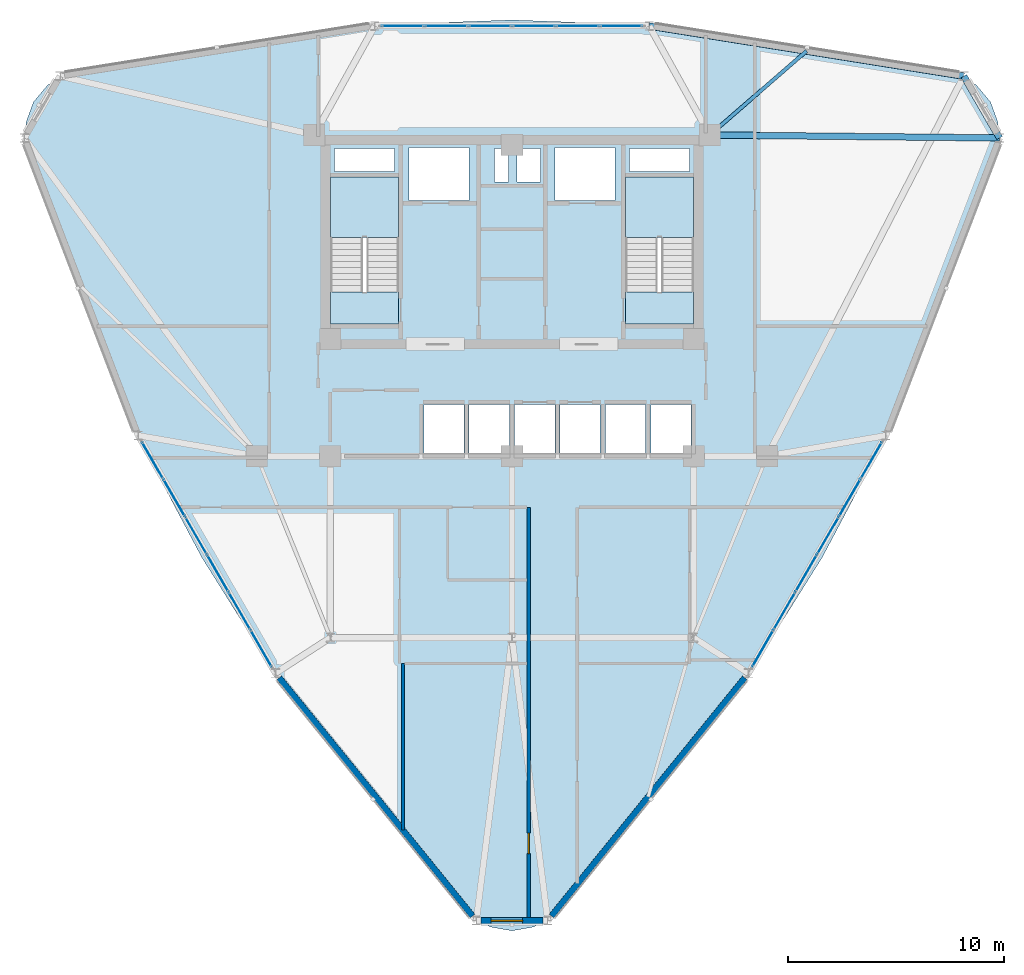
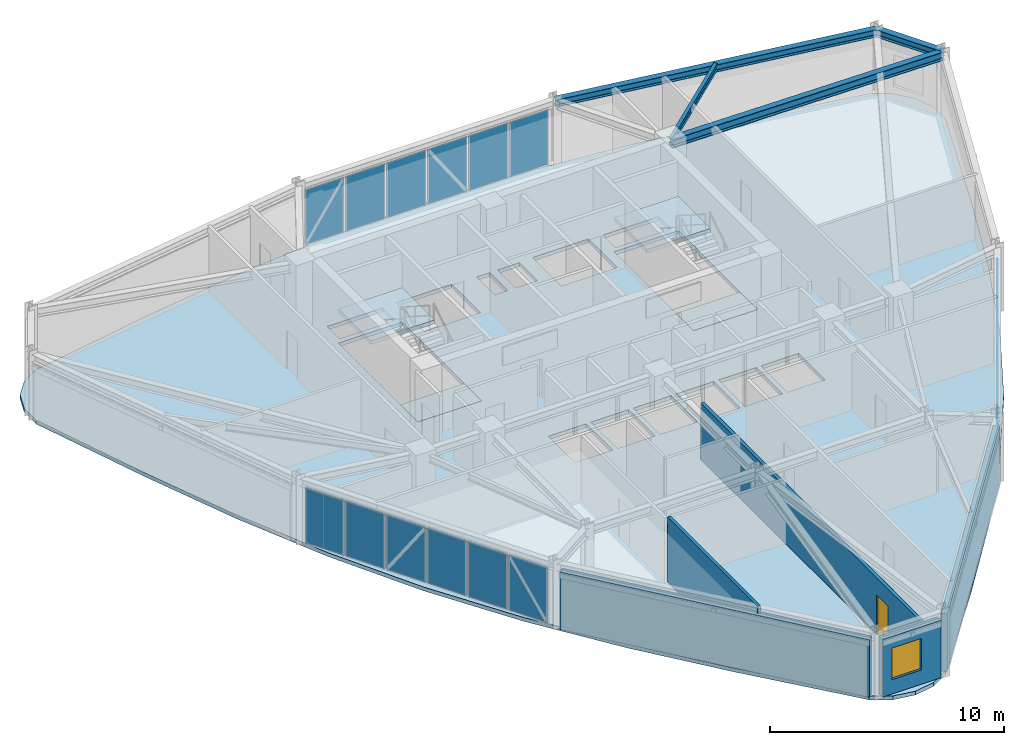
# One storey, part 9 of 14: 18 plates, 5 slabs, 5 walls, 4 beams, 1 door, 1 window, 2 openings, 5 elements without a shape of their own.
"""IFC4 building model written with IfcOpenShell, lengths in metres."""

from ifc_helpers import new_model, si_unit, derived_unit, direction, frame, frame_2d, origin, origin_2d, place, context, subcontext, project, spatial, polyline, rectangle, i_section, outline, extrude, source, transform, mapped, material, layer, layer_set, material_profile, profile_set, type_object, element, fill, aggregate, save


model = new_model("IFC4")

# Units and contexts
model_context = context("Model", 3, precision=1e-05, world=origin(), true_north=direction((0.0, 1.0)))
body_context = subcontext(model_context, "Body", "Model", "MODEL_VIEW")
ifc_project = project(units=[si_unit("LENGTHUNIT", "METRE"), si_unit("AREAUNIT", "SQUARE_METRE"), si_unit("VOLUMEUNIT", "CUBIC_METRE"), si_unit("PLANEANGLEUNIT", "RADIAN"), si_unit("MASSUNIT", "GRAM", prefix="KILO"), derived_unit("THERMALTRANSMITTANCEUNIT", [(si_unit("POWERUNIT", "WATT"), 1), (si_unit("LENGTHUNIT", "METRE"), -2), (si_unit("THERMODYNAMICTEMPERATUREUNIT", "KELVIN"), -1)])], contexts=[model_context])

# Site, building, storey
site_placement = place(None, origin())
site = spatial("IfcSite", under=ifc_project, at=site_placement, CompositionType="ELEMENT")
building_placement = place(site_placement, origin())
building = spatial("IfcBuilding", under=site, at=building_placement, Name="Korsvarv Bourse and Concert Hall", CompositionType="ELEMENT")
storey_placement = place(building_placement, frame((0.0, 0.0, 172.199951171875)))
storey = spatial("IfcBuildingStorey", under=building, at=storey_placement, Name="L44", CompositionType="ELEMENT", Elevation=172.199951171875)

# Beams
ifc_material_1 = material(Name="Steel S355", Category="steel")
ifc_material_profile_1 = material_profile(ifc_material_1, i_section(OverallWidth=0.300048828125, OverallDepth=0.449951171875, WebThickness=0.013916015625, FlangeThickness=0.02587890625, FilletRadius=0.02099609375, at=origin_2d()), Name="HEB 450")
ifc_profile_set_1 = profile_set([ifc_material_profile_1], Name="Steel S355")
beam_type_1 = type_object("IfcBeamType", Name="BM-HEB450", PredefinedType="SPANDREL", material=ifc_profile_set_1)
shared_shape_1 = source(origin(), body_context, "Body", "SweptSolid", [
    extrude(i_section(OverallWidth=0.300048828125, OverallDepth=0.449951171875, WebThickness=0.013916015625, FlangeThickness=0.02587890625, FilletRadius=0.02099609375, at=origin_2d()), origin(), (0.0, 0.0, 1.0), 13.40478515625),
])
beam_1_placement = place(storey_placement, frame((58.553955078125, 47.114501953125, 3.175048828125), z_axis=(-0.999948910631, 0.010108220778, 0.0), x_axis=(-0.010108220778, -0.999948910631, 0.0)))
element("IfcBeam", 1, at=beam_1_placement, inside=storey, type_object=beam_type_1, Name="L44 beam B-08", PredefinedType="SPANDREL", context=body_context, shape_type="MappedRepresentation", body=[
    mapped(shared_shape_1, transform((0.0, 0.0, 0.0), scale=1.0)),
])
ifc_material_profile_2 = material_profile(ifc_material_1, i_section(OverallWidth=0.300048828125, OverallDepth=0.389892578125, WebThickness=0.010986328125, FlangeThickness=0.01904296875, FilletRadius=0.02099609375, at=origin_2d()), Name="HEA 400")
ifc_profile_set_2 = profile_set([ifc_material_profile_2], Name="Steel S355")
beam_type_2 = type_object("IfcBeamType", Name="BM-HEA400", PredefinedType="BEAM", material=ifc_profile_set_2)
shared_shape_2 = source(origin(), body_context, "Body", "SweptSolid", [
    extrude(i_section(OverallWidth=0.300048828125, OverallDepth=0.389892578125, WebThickness=0.010986328125, FlangeThickness=0.01904296875, FilletRadius=0.02099609375, at=origin_2d()), origin(), (0.0, 0.0, 1.0), 3.30322265625),
])
beam_2_placement = place(storey_placement, frame((58.553955078125, 47.114501953125, 3.205078125), z_axis=(-0.500010360262, 0.866019422202, 0.0), x_axis=(-0.866019422202, -0.500010360262, 0.0)))
element("IfcBeam", 2, at=beam_2_placement, inside=storey, type_object=beam_type_2, Name="L44 beam B-11", PredefinedType="BEAM", context=body_context, shape_type="MappedRepresentation", body=[
    mapped(shared_shape_2, transform((0.0, 0.0, 0.0), scale=1.0)),
])
shared_shape_3 = source(origin(), body_context, "Body", "SweptSolid", [
    extrude(i_section(OverallWidth=0.300048828125, OverallDepth=0.389892578125, WebThickness=0.010986328125, FlangeThickness=0.01904296875, FilletRadius=0.02099609375, at=origin_2d()), origin(), (0.0, 0.0, 1.0), 14.740234375),
])
beam_3_placement = place(storey_placement, frame((56.90234375, 49.97509765625, 3.205078125), z_axis=(-0.987527508196, 0.157446564127, 0.0), x_axis=(-0.157446564127, -0.987527508196, 0.0)))
element("IfcBeam", 3, at=beam_3_placement, inside=storey, type_object=beam_type_2, Name="L44 beam B-11", PredefinedType="BEAM", context=body_context, shape_type="MappedRepresentation", body=[
    mapped(shared_shape_3, transform((0.0, 0.0, 0.0), scale=1.0)),
])
ifc_material_profile_3 = material_profile(ifc_material_1, i_section(OverallWidth=0.169921875, OverallDepth=0.360107421875, WebThickness=0.008056640625, FlangeThickness=0.0126953125, FilletRadius=0.01806640625, at=origin_2d()), Name="IPE 360")
ifc_profile_set_3 = profile_set([ifc_material_profile_3], Name="Steel S355")
beam_type_3 = type_object("IfcBeamType", Name="BM-IPE360", PredefinedType="JOIST", material=ifc_profile_set_3)
shared_shape_4 = source(origin(), body_context, "Body", "SweptSolid", [
    extrude(i_section(OverallWidth=0.169921875, OverallDepth=0.360107421875, WebThickness=0.008056640625, FlangeThickness=0.0126953125, FilletRadius=0.01806640625, at=origin_2d()), origin(), (0.0, 0.0, 1.0), 5.926025390625),
])
beam_4_placement = place(storey_placement, frame((49.624267578125, 51.135498046875, 3.219970703125), z_axis=(-0.755044389715, -0.655673676123, 0.0), x_axis=(0.655673676123, -0.755044389715, 0.0)))
element("IfcBeam", 4, at=beam_4_placement, inside=storey, type_object=beam_type_3, Name="L44 beam J-06", PredefinedType="JOIST", context=body_context, shape_type="MappedRepresentation", body=[
    mapped(shared_shape_4, transform((0.0, 0.0, 0.0), scale=1.0)),
])

# Slabs
ifc_material_2 = material(Name="Precast concrete C45/55", Category="concrete")
ifc_layer_1 = layer(ifc_material_2, 0.199951171875)
ifc_layer_set_1 = layer_set([ifc_layer_1], Name="Precast concrete C45/55")
slab_type_1 = type_object("IfcSlabType", Name="SLB-FLND-T", PredefinedType="LANDING", material=ifc_layer_set_1)
slab_1_placement = place(storey_placement, frame((0.0, 0.0, -0.199951171875)))
element("IfcSlab", 5, at=slab_1_placement, inside=storey, type_object=slab_type_1, Name="L44 Stair ST-T1 Floor Landing Slab", PredefinedType="LANDING", context=body_context, shape_type="SweptSolid", body=[
    extrude(outline(polyline([(30.760009765625, 38.5), (30.760009765625, 40.0), (27.60009765625, 40.0), (27.60009765625, 38.5), (30.760009765625, 38.5)])), origin(), (0.0, 0.0, 1.0), 0.199951171875),
])
slab_2_placement = place(storey_placement, frame((0.0, 0.0, -0.199951171875)))
element("IfcSlab", 6, at=slab_2_placement, inside=storey, type_object=slab_type_1, Name="L44 Stair ST-T2 Floor Landing Slab", PredefinedType="LANDING", context=body_context, shape_type="SweptSolid", body=[
    extrude(outline(polyline([(44.39990234375, 38.5), (44.39990234375, 40.0), (41.239990234375, 40.0), (41.239990234375, 38.5), (44.39990234375, 38.5)])), origin(), (0.0, 0.0, 1.0), 0.199951171875),
])

# Stair, slab
stair_type = type_object("IfcStairType", Name="STR-TYPE-04", PredefinedType="HALF_TURN_STAIR", material=ifc_material_2)
stair_1_placement = place(storey_placement, origin())
stair_1 = element("IfcStair", 7, at=stair_1_placement, inside=storey, type_object=stair_type, Name="L44 Tower West Exit Stair ST-T1", PredefinedType="HALF_TURN_STAIR")
ifc_layer_2 = layer(ifc_material_2, 0.199951171875)
ifc_layer_set_2 = layer_set([ifc_layer_2], Name="Precast concrete C45/55")
slab_type_2 = type_object("IfcSlabType", Name="SLB-ST-LND", PredefinedType="LANDING", material=ifc_layer_set_2)
slab_3_placement = place(storey_placement, frame((0.0, 0.0, 1.60009765625)))
slab_3 = element("IfcSlab", 8, at=slab_3_placement, type_object=slab_type_2, Name="ST-T1 landing 1", PredefinedType="LANDING", context=body_context, shape_type="SweptSolid", body=[
    extrude(outline(polyline([(30.760009765625, 42.52001953125), (30.760009765625, 45.300048828125), (27.60009765625, 45.300048828125), (27.60009765625, 42.52001953125), (30.760009765625, 42.52001953125)])), origin(), (0.0, 0.0, 1.0), 0.199951171875),
])
aggregate(stair_1, [slab_3])

stair_2_placement = place(storey_placement, origin())
stair_2 = element("IfcStair", 9, at=stair_2_placement, inside=storey, type_object=stair_type, Name="L44 Tower East Exit Stair ST-T2", PredefinedType="HALF_TURN_STAIR")
slab_4_placement = place(storey_placement, frame((0.0, 0.0, 1.60009765625)))
slab_4 = element("IfcSlab", 10, at=slab_4_placement, type_object=slab_type_2, Name="ST-T2 landing 1", PredefinedType="LANDING", context=body_context, shape_type="SweptSolid", body=[
    extrude(outline(polyline([(44.39990234375, 42.52001953125), (44.39990234375, 45.300048828125), (41.239990234375, 45.300048828125), (41.239990234375, 42.52001953125), (44.39990234375, 42.52001953125)])), origin(), (0.0, 0.0, 1.0), 0.199951171875),
])
aggregate(stair_2, [slab_4])

# Slab
ifc_material_3 = material(Name="Concrete C45/55", Category="concrete")
ifc_layer_3 = layer(ifc_material_3, 0.199951171875)
ifc_layer_set_3 = layer_set([ifc_layer_3], Name="Concrete C45/55")
slab_type_3 = type_object("IfcSlabType", Name="SLB-TW2", PredefinedType="FLOOR", material=ifc_layer_set_3)
slab_5_placement = place(storey_placement, frame((0.0, 0.0, -0.199951171875)))
element("IfcSlab", 11, at=slab_5_placement, inside=storey, type_object=slab_type_3, Name="L44 tower structural floor slab", PredefinedType="FLOOR", context=body_context, shape_type="SweptSolid", body=[
    extrude(outline(polyline([(58.079345703125, 45.67333984375), (56.399169921875, 41.006591796875), (54.61083984375, 36.42724609375), (52.616943359375, 31.986572265625), (50.350341796875, 27.71484375), (47.7841796875, 23.615966796875), (44.935546875, 19.6689453125), (41.86376953125, 15.83056640625), (38.662353515625, 12.0419921875), (38.660400390625, 12.03955078125), (37.900634765625, 11.134033203125), (37.01123046875, 10.62060546875), (36.0, 10.4423828125), (34.98876953125, 10.62060546875), (34.099365234375, 11.134033203125), (33.339599609375, 12.03955078125), (33.337646484375, 12.0419921875), (30.13623046875, 15.83056640625), (27.064453125, 19.6689453125), (24.2158203125, 23.615966796875), (21.649658203125, 27.71484375), (19.383056640625, 31.986572265625), (17.38916015625, 36.42724609375), (15.600830078125, 41.006591796875), (13.920654296875, 45.67333984375), (13.91943359375, 45.67626953125), (13.51513671875, 46.787109375), (13.51513671875, 47.813720703125), (13.866455078125, 48.77880859375), (14.526611328125, 49.5654296875), (15.415771484375, 50.078857421875), (16.579833984375, 50.2841796875), (16.5830078125, 50.28466796875), (21.464599609375, 51.162841796875), (26.32470703125, 51.904052734375), (31.167236328125, 52.3974609375), (36.0, 52.5703125), (40.832763671875, 52.3974609375), (45.67529296875, 51.904052734375), (50.535400390625, 51.162841796875), (55.4169921875, 50.28466796875), (55.420166015625, 50.2841796875), (56.584228515625, 50.078857421875), (57.473388671875, 49.5654296875), (58.133544921875, 48.77880859375), (58.48486328125, 47.813720703125), (58.48486328125, 46.787109375), (58.08056640625, 45.67626953125), (58.079345703125, 45.67333984375)]), holes=[polyline([(30.760009765625, 38.5), (30.760009765625, 45.300048828125), (27.60009765625, 45.300048828125), (27.60009765625, 38.5), (30.760009765625, 38.5)]), polyline([(44.39990234375, 38.5), (44.39990234375, 45.300048828125), (41.239990234375, 45.300048828125), (41.239990234375, 38.5), (44.39990234375, 38.5)]), polyline([(31.239990234375, 44.219970703125), (34.0, 44.219970703125), (34.0, 46.679931640625), (31.239990234375, 46.679931640625), (31.239990234375, 44.219970703125)]), polyline([(38.0, 44.219970703125), (40.760009765625, 44.219970703125), (40.760009765625, 46.679931640625), (38.0, 46.679931640625), (38.0, 44.219970703125)]), polyline([(31.919921875, 32.52001953125), (33.780029296875, 32.52001953125), (33.780029296875, 34.780029296875), (31.919921875, 34.780029296875), (31.919921875, 32.52001953125)]), polyline([(34.02001953125, 32.52001953125), (35.8798828125, 32.52001953125), (35.8798828125, 34.780029296875), (34.02001953125, 34.780029296875), (34.02001953125, 32.52001953125)]), polyline([(36.1201171875, 32.52001953125), (37.97998046875, 32.52001953125), (37.97998046875, 34.780029296875), (36.1201171875, 34.780029296875), (36.1201171875, 32.52001953125)]), polyline([(38.219970703125, 32.52001953125), (40.080078125, 32.52001953125), (40.080078125, 34.780029296875), (38.219970703125, 34.780029296875), (38.219970703125, 32.52001953125)]), polyline([(40.320068359375, 32.52001953125), (42.179931640625, 32.52001953125), (42.179931640625, 34.780029296875), (40.320068359375, 34.780029296875), (40.320068359375, 32.52001953125)]), polyline([(42.419921875, 32.52001953125), (44.280029296875, 32.52001953125), (44.280029296875, 34.780029296875), (42.419921875, 34.780029296875), (42.419921875, 32.52001953125)]), polyline([(27.800048828125, 45.56005859375), (30.56005859375, 45.56005859375), (30.56005859375, 46.6201171875), (27.800048828125, 46.6201171875), (27.800048828125, 45.56005859375)]), polyline([(41.43994140625, 45.56005859375), (44.199951171875, 45.56005859375), (44.199951171875, 46.6201171875), (41.43994140625, 46.6201171875), (41.43994140625, 45.56005859375)]), polyline([(35.199951171875, 45.080078125), (35.840087890625, 45.080078125), (35.840087890625, 46.6201171875), (35.199951171875, 46.6201171875), (35.199951171875, 45.080078125)]), polyline([(36.239990234375, 45.080078125), (37.320068359375, 45.080078125), (37.320068359375, 46.6201171875), (36.239990234375, 46.6201171875), (36.239990234375, 45.080078125)])]), origin(), (0.0, 0.0, 1.0), 0.199951171875),
])

# Curtain wall, plates
ifc_material_4 = material(Name="Anodised aluminium and triple low-E glazing", Category="glass")
ifc_layer_4 = layer(ifc_material_4, 0.199951171875)
ifc_layer_set_4 = layer_set([ifc_layer_4], Name="Anodised aluminium and triple low-E glazing")
curtain_wall_type = type_object("IfcCurtainWallType", Name="CW-SYS-3", PredefinedType="NOTDEFINED", material=ifc_layer_set_4)
curtain_wall_1_placement = place(storey_placement, origin())
curtain_wall_1 = element("IfcCurtainWall", 12, at=curtain_wall_1_placement, inside=storey, type_object=curtain_wall_type, Name="L44 CW3 curtain wall CW-L44-F03", PredefinedType="NOTDEFINED")
ifc_material_5 = material(Name="Tempered triple insulated low-E architectural glass", Category="glass")
ifc_layer_5 = layer(ifc_material_5, 0.0380859375)
ifc_layer_set_5 = layer_set([ifc_layer_5], Name="Tempered triple insulated low-E architectural glass")
plate_type_1 = type_object("IfcPlateType", Name="CWP-VIS2", PredefinedType="CURTAIN_PANEL", material=ifc_layer_set_5)
shared_shape_5 = source(origin(), body_context, "Body", "SweptSolid", [
    extrude(rectangle(XDim=1.926025390625, YDim=0.0380859375, at=origin_2d()), origin(), (0.0, 0.0, 1.0), 2.8798828125),
])
plate_1_placement = place(storey_placement, frame((41.06005859375, 52.2958984375, 0.065185546875), z_axis=(0.0, 0.0, 1.0), x_axis=(-1.0, 0.0, 0.0)))
plate_1 = element("IfcPlate", 13, at=plate_1_placement, type_object=plate_type_1, Name="CW3 faceted panel 1.1", PredefinedType="CURTAIN_PANEL", context=body_context, shape_type="MappedRepresentation", body=[
    mapped(shared_shape_5, transform((0.0, 0.0, 0.0), scale=1.0)),
])
shared_shape_6 = source(origin(), body_context, "Body", "SweptSolid", [
    extrude(rectangle(XDim=1.9609375, YDim=0.0380859375, at=origin_2d()), origin(), (0.0, 0.0, 1.0), 2.8798828125),
])
plate_2_placement = place(storey_placement, frame((39.04638671875, 52.2958984375, 0.065185546875), z_axis=(0.0, 0.0, 1.0), x_axis=(-1.0, 0.0, 0.0)))
plate_2 = element("IfcPlate", 14, at=plate_2_placement, type_object=plate_type_1, Name="CW3 faceted panel 2.1", PredefinedType="CURTAIN_PANEL", context=body_context, shape_type="MappedRepresentation", body=[
    mapped(shared_shape_6, transform((0.0, 0.0, 0.0), scale=1.0)),
])
plate_3_placement = place(storey_placement, frame((34.984619140625, 52.2958984375, 0.065185546875), z_axis=(0.0, 0.0, 1.0), x_axis=(-1.0, 0.0, 0.0)))
plate_3 = element("IfcPlate", 15, at=plate_3_placement, type_object=plate_type_1, Name="CW3 faceted panel 4.1", PredefinedType="CURTAIN_PANEL", context=body_context, shape_type="MappedRepresentation", body=[
    mapped(shared_shape_6, transform((0.0, 0.0, 0.0), scale=1.0)),
])
plate_4_placement = place(storey_placement, frame((32.95361328125, 52.2958984375, 0.065185546875), z_axis=(0.0, 0.0, 1.0), x_axis=(-1.0, 0.0, 0.0)))
plate_4 = element("IfcPlate", 16, at=plate_4_placement, type_object=plate_type_1, Name="CW3 faceted panel 5.1", PredefinedType="CURTAIN_PANEL", context=body_context, shape_type="MappedRepresentation", body=[
    mapped(shared_shape_6, transform((0.0, 0.0, 0.0), scale=1.0)),
])
ifc_material_6 = material(Name="Insulated spandrel glass", Category="glass")
ifc_layer_6 = layer(ifc_material_6, 0.031982421875)
ifc_layer_set_6 = layer_set([ifc_layer_6], Name="Insulated spandrel glass")
plate_type_2 = type_object("IfcPlateType", Name="CWP-SPD1", PredefinedType="CURTAIN_PANEL", material=ifc_layer_set_6)
shared_shape_7 = source(origin(), body_context, "Body", "SweptSolid", [
    extrude(rectangle(XDim=1.9609375, YDim=0.031982421875, at=origin_2d()), origin(), (0.0, 0.0, 1.0), 2.8798828125),
])
plate_5_placement = place(storey_placement, frame((37.015380859375, 52.2958984375, 0.065185546875), z_axis=(0.0, 0.0, 1.0), x_axis=(-1.0, 0.0, 0.0)))
plate_5 = element("IfcPlate", 17, at=plate_5_placement, type_object=plate_type_2, Name="CW3 spandrel shadow-box panel 3.1", PredefinedType="CURTAIN_PANEL", context=body_context, shape_type="MappedRepresentation", body=[
    mapped(shared_shape_7, transform((0.0, 0.0, 0.0), scale=1.0)),
])
shared_shape_8 = source(origin(), body_context, "Body", "SweptSolid", [
    extrude(rectangle(XDim=1.926025390625, YDim=0.031982421875, at=origin_2d()), origin(), (0.0, 0.0, 1.0), 2.8798828125),
])
plate_6_placement = place(storey_placement, frame((30.93994140625, 52.2958984375, 0.065185546875), z_axis=(0.0, 0.0, 1.0), x_axis=(-1.0, 0.0, 0.0)))
plate_6 = element("IfcPlate", 18, at=plate_6_placement, type_object=plate_type_2, Name="CW3 spandrel shadow-box panel 6.1", PredefinedType="CURTAIN_PANEL", context=body_context, shape_type="MappedRepresentation", body=[
    mapped(shared_shape_8, transform((0.0, 0.0, 0.0), scale=1.0)),
])
aggregate(curtain_wall_1, [plate_1, plate_2, plate_5, plate_3, plate_4, plate_6])

# Curtain wall, plate
curtain_wall_2_placement = place(storey_placement, origin())
curtain_wall_2 = element("IfcCurtainWall", 19, at=curtain_wall_2_placement, inside=storey, type_object=curtain_wall_type, Name="L44 CW3 curtain wall CW-L44-F07", PredefinedType="NOTDEFINED")
shared_shape_9 = source(origin(), body_context, "Body", "SweptSolid", [
    extrude(rectangle(XDim=1.9111328125, YDim=0.0380859375, at=origin_2d()), origin(), (0.0, 0.0, 1.0), 2.8798828125),
])
plate_7_placement = place(storey_placement, frame((19.376220703125, 32.20166015625, 0.065185546875), z_axis=(0.0, 0.0, 1.0), x_axis=(0.499994389938, -0.866028642731, 0.0)))
plate_7 = element("IfcPlate", 20, at=plate_7_placement, type_object=plate_type_1, Name="CW3 faceted panel 1.1", PredefinedType="CURTAIN_PANEL", context=body_context, shape_type="MappedRepresentation", body=[
    mapped(shared_shape_9, transform((0.0, 0.0, 0.0), scale=1.0)),
])

curtain_wall_3_placement = place(storey_placement, origin())
curtain_wall_3 = element("IfcCurtainWall", 21, at=curtain_wall_3_placement, inside=storey, type_object=curtain_wall_type, Name="L44 CW3 curtain wall CW-L44-F11", PredefinedType="NOTDEFINED")
plate_8_placement = place(storey_placement, frame((47.601318359375, 23.50244140625, 0.065185546875), z_axis=(0.0, 0.0, 1.0), x_axis=(0.499994389938, 0.866028642731, 0.0)))
plate_8 = element("IfcPlate", 22, at=plate_8_placement, type_object=plate_type_1, Name="CW3 faceted panel 1.1", PredefinedType="CURTAIN_PANEL", context=body_context, shape_type="MappedRepresentation", body=[
    mapped(shared_shape_9, transform((0.0, 0.0, 0.0), scale=1.0)),
])

# Plate
shared_shape_10 = source(origin(), body_context, "Body", "SweptSolid", [
    extrude(rectangle(XDim=1.946044921875, YDim=0.0380859375, at=origin_2d()), origin(), (0.0, 0.0, 1.0), 2.8798828125),
])
plate_9_placement = place(storey_placement, frame((20.37548828125, 30.470947265625, 0.065185546875), z_axis=(0.0, 0.0, 1.0), x_axis=(0.499994389938, -0.866028642731, 0.0)))
plate_9 = element("IfcPlate", 23, at=plate_9_placement, type_object=plate_type_1, Name="CW3 faceted panel 2.1", PredefinedType="CURTAIN_PANEL", context=body_context, shape_type="MappedRepresentation", body=[
    mapped(shared_shape_10, transform((0.0, 0.0, 0.0), scale=1.0)),
])

plate_10_placement = place(storey_placement, frame((22.391357421875, 26.979248046875, 0.065185546875), z_axis=(0.0, 0.0, 1.0), x_axis=(0.499994389938, -0.866028642731, 0.0)))
plate_10 = element("IfcPlate", 24, at=plate_10_placement, type_object=plate_type_1, Name="CW3 faceted panel 4.1", PredefinedType="CURTAIN_PANEL", context=body_context, shape_type="MappedRepresentation", body=[
    mapped(shared_shape_10, transform((0.0, 0.0, 0.0), scale=1.0)),
])

plate_11_placement = place(storey_placement, frame((23.3994140625, 25.233154296875, 0.065185546875), z_axis=(0.0, 0.0, 1.0), x_axis=(0.499994389938, -0.866028642731, 0.0)))
plate_11 = element("IfcPlate", 25, at=plate_11_placement, type_object=plate_type_1, Name="CW3 faceted panel 5.1", PredefinedType="CURTAIN_PANEL", context=body_context, shape_type="MappedRepresentation", body=[
    mapped(shared_shape_10, transform((0.0, 0.0, 0.0), scale=1.0)),
])

plate_12_placement = place(storey_placement, frame((48.6005859375, 25.233154296875, 0.065185546875), z_axis=(0.0, 0.0, 1.0), x_axis=(0.499994389938, 0.866028642731, 0.0)))
plate_12 = element("IfcPlate", 26, at=plate_12_placement, type_object=plate_type_1, Name="CW3 faceted panel 2.1", PredefinedType="CURTAIN_PANEL", context=body_context, shape_type="MappedRepresentation", body=[
    mapped(shared_shape_10, transform((0.0, 0.0, 0.0), scale=1.0)),
])

plate_13_placement = place(storey_placement, frame((50.61669921875, 28.72509765625, 0.065185546875), z_axis=(0.0, 0.0, 1.0), x_axis=(0.499994389938, 0.866028642731, 0.0)))
plate_13 = element("IfcPlate", 27, at=plate_13_placement, type_object=plate_type_1, Name="CW3 faceted panel 4.1", PredefinedType="CURTAIN_PANEL", context=body_context, shape_type="MappedRepresentation", body=[
    mapped(shared_shape_10, transform((0.0, 0.0, 0.0), scale=1.0)),
])

plate_14_placement = place(storey_placement, frame((51.62451171875, 30.470947265625, 0.065185546875), z_axis=(0.0, 0.0, 1.0), x_axis=(0.499994389938, 0.866028642731, 0.0)))
plate_14 = element("IfcPlate", 28, at=plate_14_placement, type_object=plate_type_1, Name="CW3 faceted panel 5.1", PredefinedType="CURTAIN_PANEL", context=body_context, shape_type="MappedRepresentation", body=[
    mapped(shared_shape_10, transform((0.0, 0.0, 0.0), scale=1.0)),
])

shared_shape_11 = source(origin(), body_context, "Body", "SweptSolid", [
    extrude(rectangle(XDim=1.946044921875, YDim=0.031982421875, at=origin_2d()), origin(), (0.0, 0.0, 1.0), 2.8798828125),
])
plate_15_placement = place(storey_placement, frame((21.38330078125, 28.72509765625, 0.065185546875), z_axis=(0.0, 0.0, 1.0), x_axis=(0.499994389938, -0.866028642731, 0.0)))
plate_15 = element("IfcPlate", 29, at=plate_15_placement, type_object=plate_type_2, Name="CW3 spandrel shadow-box panel 3.1", PredefinedType="CURTAIN_PANEL", context=body_context, shape_type="MappedRepresentation", body=[
    mapped(shared_shape_11, transform((0.0, 0.0, 0.0), scale=1.0)),
])

plate_16_placement = place(storey_placement, frame((49.608642578125, 26.979248046875, 0.065185546875), z_axis=(0.0, 0.0, 1.0), x_axis=(0.499994389938, 0.866028642731, 0.0)))
plate_16 = element("IfcPlate", 30, at=plate_16_placement, type_object=plate_type_2, Name="CW3 spandrel shadow-box panel 3.1", PredefinedType="CURTAIN_PANEL", context=body_context, shape_type="MappedRepresentation", body=[
    mapped(shared_shape_11, transform((0.0, 0.0, 0.0), scale=1.0)),
])

shared_shape_12 = source(origin(), body_context, "Body", "SweptSolid", [
    extrude(rectangle(XDim=1.9111328125, YDim=0.031982421875, at=origin_2d()), origin(), (0.0, 0.0, 1.0), 2.8798828125),
])
plate_17_placement = place(storey_placement, frame((24.398681640625, 23.50244140625, 0.065185546875), z_axis=(0.0, 0.0, 1.0), x_axis=(0.499994389938, -0.866028642731, 0.0)))
plate_17 = element("IfcPlate", 31, at=plate_17_placement, type_object=plate_type_2, Name="CW3 spandrel shadow-box panel 6.1", PredefinedType="CURTAIN_PANEL", context=body_context, shape_type="MappedRepresentation", body=[
    mapped(shared_shape_12, transform((0.0, 0.0, 0.0), scale=1.0)),
])

aggregate(curtain_wall_2, [plate_7, plate_9, plate_15, plate_10, plate_11, plate_17])

plate_18_placement = place(storey_placement, frame((52.623779296875, 32.20166015625, 0.065185546875), z_axis=(0.0, 0.0, 1.0), x_axis=(0.499994389938, 0.866028642731, 0.0)))
plate_18 = element("IfcPlate", 32, at=plate_18_placement, type_object=plate_type_2, Name="CW3 spandrel shadow-box panel 6.1", PredefinedType="CURTAIN_PANEL", context=body_context, shape_type="MappedRepresentation", body=[
    mapped(shared_shape_12, transform((0.0, 0.0, 0.0), scale=1.0)),
])

aggregate(curtain_wall_3, [plate_8, plate_12, plate_16, plate_13, plate_14, plate_18])

# Wall, opening, window
ifc_material_7 = material(Name="Precast concrete C45/55 with terracotta rainscreen", Category="concrete")
ifc_layer_7 = layer(ifc_material_7, 0.300048828125)
ifc_layer_set_7 = layer_set([ifc_layer_7], Name="Precast concrete C45/55 with terracotta rainscreen")
wall_type_1 = type_object("IfcWallType", Name="WL-EXT-TC1", PredefinedType="SOLIDWALL", material=ifc_layer_set_7)
wall_1_placement = place(storey_placement, frame((34.556396484375, 10.91064453125, 0.0), z_axis=(0.0, 0.0, 1.0), x_axis=(1.0, 0.0, 0.0)))
wall_1 = element("IfcWall", 33, at=wall_1_placement, inside=storey, type_object=wall_type_1, Name="L44 terracotta exterior wall EW-L44-B09", PredefinedType="SOLIDWALL", context=body_context, shape_type="SweptSolid", body=[
    extrude(rectangle(XDim=2.88720703125, YDim=0.300048828125, at=frame_2d((1.443603515625, 0.0))), origin(), (0.0, 0.0, 1.0), 3.010009765625),
])
opening_1_placement = place(wall_1_placement, frame((0.479736328125, 0.0, 0.75)))
opening_1 = element("IfcOpeningElement", 34, at=opening_1_placement, cuts=wall_1, Name="Opening W-02", PredefinedType="OPENING", context=body_context, shape_type="SweptSolid", body=[
    extrude(rectangle(XDim=1.449951171875, YDim=1.64990234375, at=frame_2d((0.72509765625, 0.824951171875))), frame((0.0, 0.16015625, 0.0), z_axis=(0.0, -1.0, 0.0), x_axis=(1.0, 0.0, 0.0)), (0.0, 0.0, 1.0), 0.320068359375),
])
ifc_material_8 = material(Name="Thermally broken aluminium frame with triple low-E glass", Category="glass")
window_type = type_object("IfcWindowType", Name="WIN-TW2", PartitioningType="SINGLE_PANEL", PredefinedType="WINDOW", material=ifc_material_8)
window_placement = place(opening_1_placement, origin())
window = element("IfcWindow", 35, at=window_placement, inside=storey, type_object=window_type, Name="L44 punched facade window W-02", OverallHeight=1.64990234375, OverallWidth=1.449951171875, PartitioningType="SINGLE_PANEL", PredefinedType="WINDOW", context=body_context, shape_type="SweptSolid", body=[
    extrude(rectangle(XDim=1.449951171875, YDim=1.64990234375, at=frame_2d((0.72509765625, 0.824951171875))), frame((0.0, 0.030029296875, 0.0), z_axis=(0.0, -1.0, 0.0), x_axis=(1.0, 0.0, 0.0)), (0.0, 0.0, 1.0), 0.06005859375),
])
fill(opening_1, window)

# Walls
ifc_material_9 = material(Name="Precast concrete C45/55 with fluted terracotta pier", Category="concrete")
ifc_layer_8 = layer(ifc_material_9, 0.280029296875)
ifc_layer_set_8 = layer_set([ifc_layer_8], Name="Precast concrete C45/55 with fluted terracotta pier")
wall_type_2 = type_object("IfcWallType", Name="WL-EXT-TC2", PredefinedType="SOLIDWALL", material=ifc_layer_set_8)
for number, where, z_axis, x_axis, name in (
    (36, (25.233154296875, 22.143310546875, 0.0), (0.0, 0.0, 1.0), (0.63011778054, -0.776499570281, 0.0), "L44 terracotta exterior wall EW-L44-B08"),
    (37, (37.824462890625, 11.12353515625, 0.0), (0.0, 0.0, 1.0), (0.63011778054, 0.776499570281, 0.0), "L44 terracotta exterior wall EW-L44-B10"),
):
    element("IfcWall", number, at=place(storey_placement, frame(where, z_axis=z_axis, x_axis=x_axis)), inside=storey, type_object=wall_type_2, Name=name, PredefinedType="SOLIDWALL", context=body_context, shape_type="SweptSolid", body=[
        extrude(rectangle(XDim=14.191650390625, YDim=0.280029296875, at=frame_2d((7.095703125, 0.0))), origin(), (0.0, 0.0, 1.0), 3.010009765625),
    ])

# Wall, opening, door
ifc_material_10 = material(Name="Double-stud fire-rated acoustic partition", Category="gypsum")
ifc_layer_9 = layer(ifc_material_10, 0.159912109375)
ifc_layer_set_9 = layer_set([ifc_layer_9], Name="Double-stud fire-rated acoustic partition")
wall_type_3 = type_object("IfcWallType", Name="WL-INT-EI60", PredefinedType="PARTITIONING", material=ifc_layer_set_9)
wall_2_placement = place(storey_placement, frame((36.77490234375, 10.9306640625, 0.0), z_axis=(0.0, 0.0, 1.0), x_axis=(0.0, 1.0, 0.0)))
wall_2 = element("IfcWall", 38, at=wall_2_placement, inside=storey, type_object=wall_type_3, Name="L44 interior partition wall W-L44-TCOR-03", PredefinedType="PARTITIONING", context=body_context, shape_type="SweptSolid", body=[
    extrude(rectangle(XDim=19.099365234375, YDim=0.159912109375, at=frame_2d((9.5498046875, 0.0))), origin(), (0.0, 0.0, 1.0), 2.949951171875),
])
opening_2_placement = place(wall_2_placement, frame((3.076416015625, 0.0, 0.0)))
opening_2 = element("IfcOpeningElement", 39, at=opening_2_placement, cuts=wall_2, Name="Opening D-02", PredefinedType="OPENING", context=body_context, shape_type="SweptSolid", body=[
    extrude(rectangle(XDim=0.949951171875, YDim=2.050048828125, at=frame_2d((0.47509765625, 1.02490234375))), frame((0.0, 0.08984375, 0.0), z_axis=(0.0, -1.0, 0.0), x_axis=(1.0, 0.0, 0.0)), (0.0, 0.0, 1.0), 0.179931640625),
])
ifc_material_11 = material(Name="Timber and steel acoustic fire door", Category="wood")
door_type = type_object("IfcDoorType", Name="DR-FD30", OperationType="NOTDEFINED", PredefinedType="DOOR", material=ifc_material_11)
door_placement = place(opening_2_placement, origin())
door = element("IfcDoor", 40, at=door_placement, inside=storey, type_object=door_type, Name="L44 interior door DR-L44-TCOR-CD48", OperationType="SINGLE_SWING_RIGHT", OverallHeight=2.050048828125, OverallWidth=0.949951171875, PredefinedType="DOOR", context=body_context, shape_type="SweptSolid", body=[
    extrude(rectangle(XDim=0.949951171875, YDim=2.050048828125, at=frame_2d((0.47509765625, 1.02490234375))), frame((0.0, 0.02490234375, 0.0), z_axis=(0.0, -1.0, 0.0), x_axis=(1.0, 0.0, 0.0)), (0.0, 0.0, 1.0), 0.050048828125),
])
fill(opening_2, door)

# Wall
ifc_material_12 = material(Name="Insulated steel-stud office acoustic partition", Category="gypsum")
ifc_layer_10 = layer(ifc_material_12, 0.139892578125)
ifc_layer_set_10 = layer_set([ifc_layer_10], Name="Insulated steel-stud office acoustic partition")
wall_type_4 = type_object("IfcWallType", Name="WL-INT-P1", PredefinedType="PARTITIONING", material=ifc_layer_set_10)
wall_3_placement = place(storey_placement, frame((30.961669921875, 15.10400390625, 0.0), z_axis=(0.0, 0.0, 1.0), x_axis=(0.000443543234, 0.999999901635, 0.0)))
element("IfcWall", 41, at=wall_3_placement, inside=storey, type_object=wall_type_4, Name="L44 interior partition wall W-L44-TCOR-13", PredefinedType="PARTITIONING", context=body_context, shape_type="SweptSolid", body=[
    extrude(rectangle(XDim=7.7060546875, YDim=0.139892578125, at=frame_2d((3.85302734375, 0.0))), origin(), (0.0, 0.0, 1.0), 3.400146484375),
])

save(model, "model.ifc")
